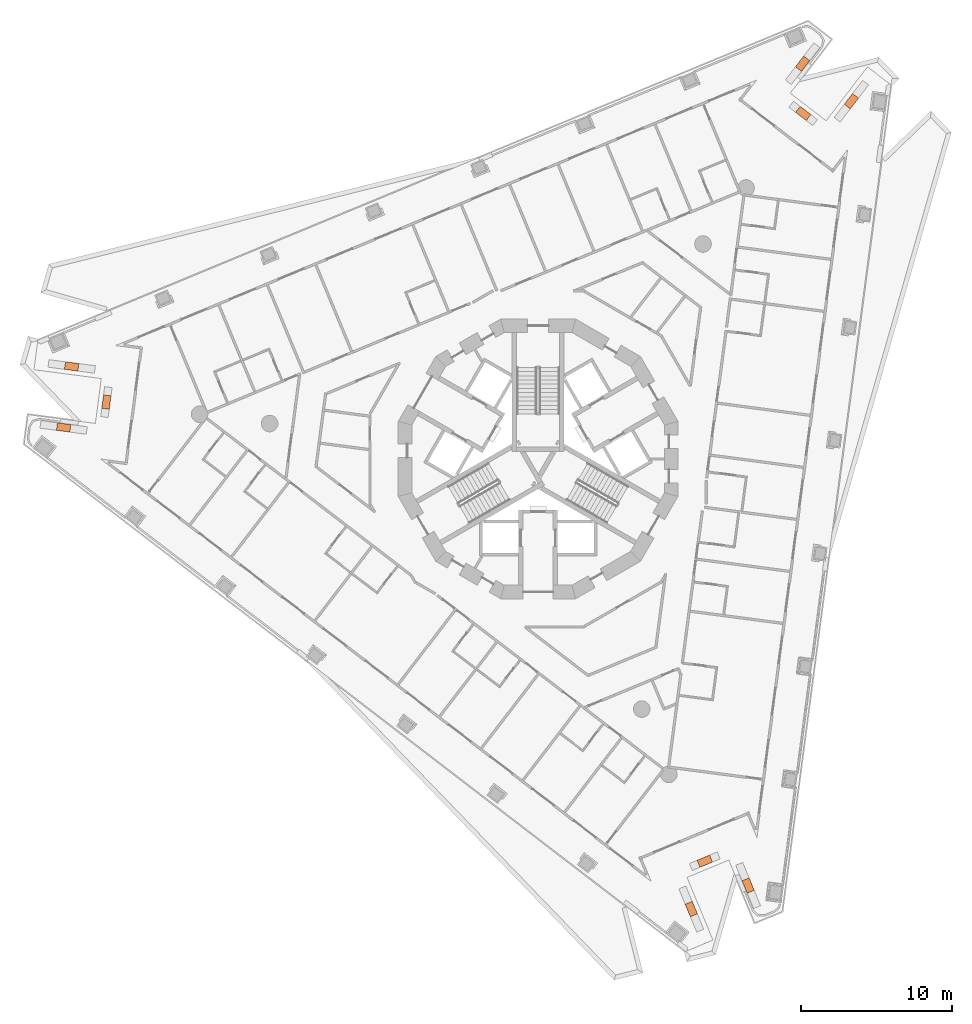
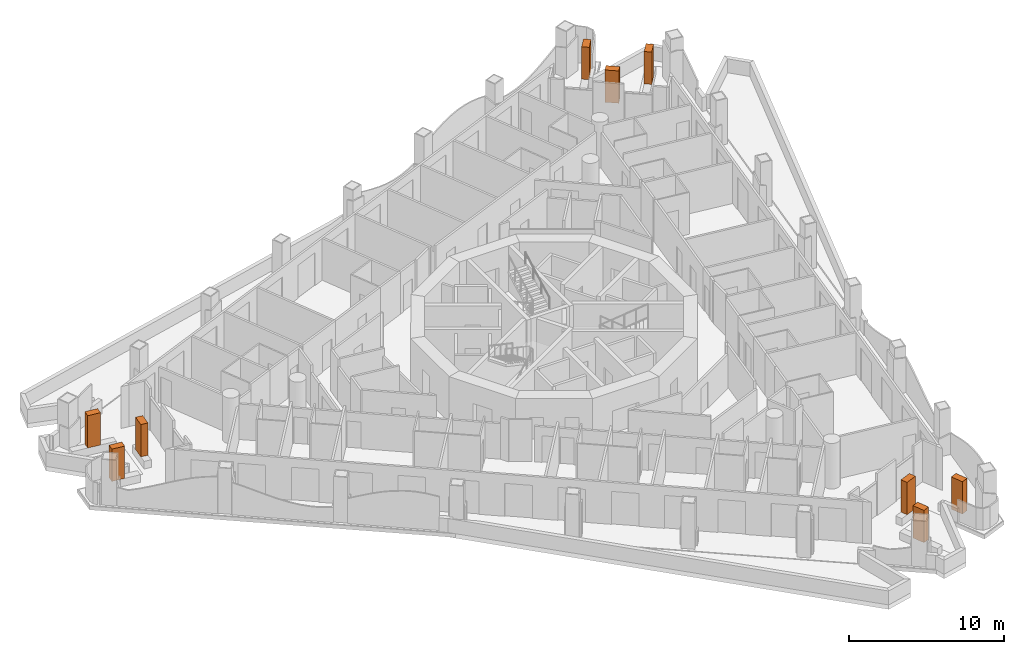
# One storey, part 19 of 19: 9 geographic elements.
"""IFC4 building model written with IfcOpenShell, lengths in metres."""

from ifc_helpers import new_model, si_unit, direction, frame, origin, origin_2d, place, context, subcontext, project, spatial, rectangle, extrude, element, save


model = new_model("IFC4")

# Units and contexts
model_context = context("Model", 3, precision=1e-05, world=origin(), true_north=direction((0.0, 1.0)))
body_context = subcontext(model_context, "Body", "Model", "MODEL_VIEW")
ifc_project = project(units=[si_unit("LENGTHUNIT", "METRE"), si_unit("AREAUNIT", "SQUARE_METRE"), si_unit("VOLUMEUNIT", "CUBIC_METRE"), si_unit("PLANEANGLEUNIT", "RADIAN"), si_unit("MASSUNIT", "GRAM", prefix="KILO")], contexts=[model_context])

# Site, building, storey
site_placement = place(None, origin())
site = spatial("IfcSite", under=ifc_project, at=site_placement, CompositionType="ELEMENT")
building_placement = place(site_placement, origin())
building = spatial("IfcBuilding", under=site, at=building_placement, Name="Trine Commons Tower", CompositionType="ELEMENT")
storey_placement = place(building_placement, frame((0.0, 0.0, 124.199951171875)))
storey = spatial("IfcBuildingStorey", under=building, at=storey_placement, Name="L31", CompositionType="ELEMENT", Elevation=124.199951171875)

# Geographic elements
for number, where, z_axis, x_axis, name in (
    (1, (48.54638671875, 64.58349609375, 0.60009765625), (0.0, 0.0, 1.0), (0.991446455978, -0.130514079426, 0.0), "Tree 1.1"),
    (2, (51.380615234375, 66.267822265625, 0.60009765625), (0.0, 0.0, 1.0), (0.130543496177, 0.991442583111, 0.0), "Tree 2.1"),
    (3, (49.078857421875, 68.62841796875, 0.60009765625), (0.0, 0.0, 1.0), (-0.991446000392, 0.130517540226, 0.0), "Tree 3.1"),
    (4, (97.531005859375, 88.697998046875, 0.60009765625), (0.0, 0.0, 1.0), (-0.608754505672, -0.793358652707, 0.0), "Tree 4.1"),
    (5, (97.57275390625, 85.4013671875, 0.60009765625), (0.0, 0.0, 1.0), (0.793335277627, -0.608784968008, 0.0), "Tree 5.1"),
    (6, (100.767822265625, 86.214111328125, 0.60009765625), (0.0, 0.0, 1.0), (0.6087683523, 0.793348027815, 0.0), "Tree 6.1"),
    (7, (93.922607421875, 34.21875, 0.60009765625), (0.0, 0.0, 1.0), (-0.382694719654, 0.923874857082, 0.0), "Tree 7.1"),
    (8, (91.046630859375, 35.830810546875, 0.60009765625), (0.0, 0.0, 1.0), (-0.923877528773, -0.382688269782, 0.0), "Tree 8.1"),
    (9, (90.153076171875, 32.657470703125, 0.60009765625), (0.0, 0.0, 1.0), (0.382694719654, -0.923874857082, 0.0), "Tree 9.1"),
):
    element("IfcGeographicElement", number, at=place(storey_placement, frame(where, z_axis=z_axis, x_axis=x_axis)), inside=storey, Name=name, ObjectType="TREE Tabebuia rosea", PredefinedType="USERDEFINED", context=body_context, shape_type="SweptSolid", body=[
        extrude(rectangle(XDim=0.89990234375, YDim=0.5, at=origin_2d()), origin(), (0.0, 0.0, 1.0), 2.550048828125),
    ])

save(model, "model.ifc")
